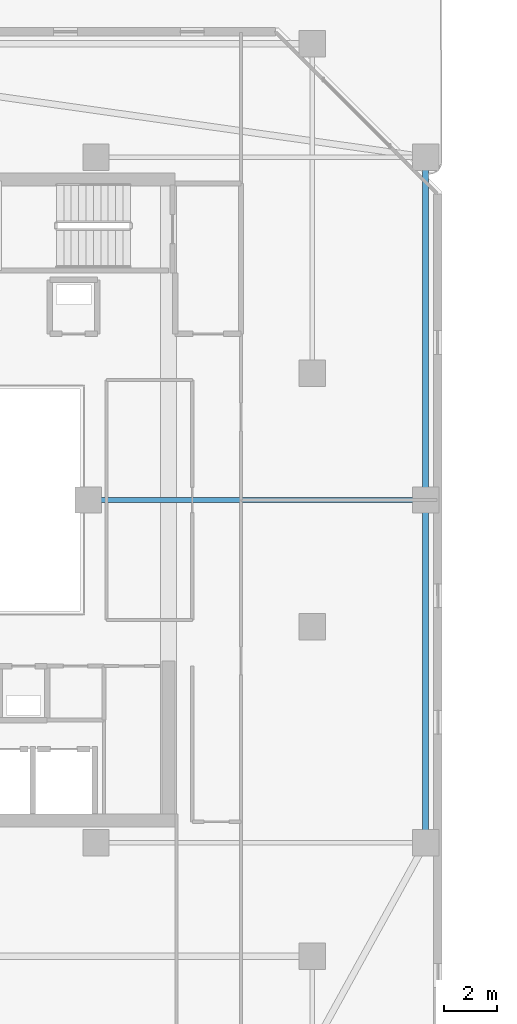
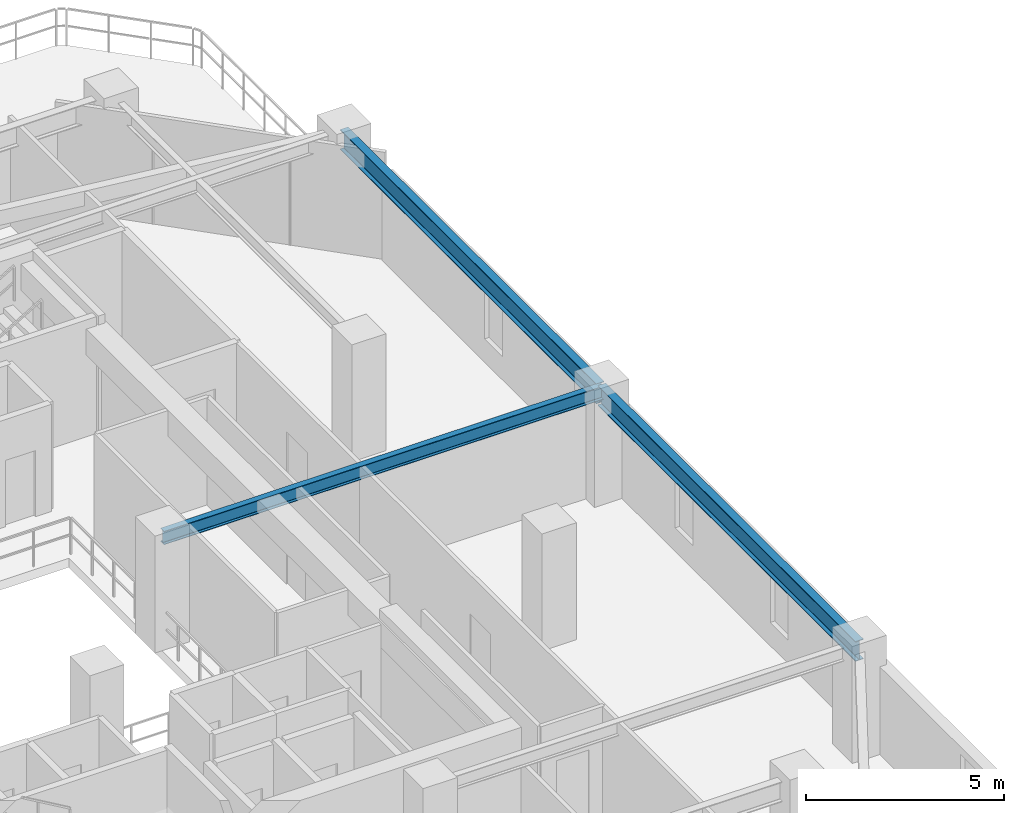
# One storey, part 6 of 29: 3 beams.
"""IFC4 building model written with IfcOpenShell, lengths in metres."""

from ifc_helpers import new_model, si_unit, direction, frame, origin, origin_2d, place, context, subcontext, project, spatial, i_section, extrude, material, material_profile, profile_set, type_object, element, save


model = new_model("IFC4")

# Units and contexts
model_context = context("Model", 3, precision=1e-05, world=origin(), true_north=direction((0.0, 1.0)))
body_context = subcontext(model_context, "Body", "Model", "MODEL_VIEW")
ifc_project = project(units=[si_unit("LENGTHUNIT", "METRE"), si_unit("AREAUNIT", "SQUARE_METRE"), si_unit("VOLUMEUNIT", "CUBIC_METRE"), si_unit("PLANEANGLEUNIT", "RADIAN"), si_unit("MASSUNIT", "GRAM", prefix="KILO")], contexts=[model_context])

# Site, building, storey
site_placement = place(None, origin())
site = spatial("IfcSite", under=ifc_project, at=site_placement, CompositionType="ELEMENT")
building_placement = place(site_placement, origin())
building = spatial("IfcBuilding", under=site, at=building_placement, Name="Thornwick Lancets Civic Towers", CompositionType="ELEMENT")
storey_placement = place(building_placement, frame((0.0, 0.0, 229.5)))
storey = spatial("IfcBuildingStorey", under=building, at=storey_placement, Name="L61", CompositionType="ELEMENT", Elevation=229.5)

# Beams
ifc_material = material(Name="Steel S355JR", Category="steel")
ifc_material_profile_1 = material_profile(ifc_material, i_section(OverallWidth=0.230224609375, OverallDepth=0.6171875, WebThickness=0.01318359375, FlangeThickness=0.022216796875, FilletRadius=0.0126953125, at=origin_2d()), Name="UKB 610x229x140")
ifc_profile_set_1 = profile_set([ifc_material_profile_1], Name="Steel S355JR")
beam_type_1 = type_object("IfcBeamType", Name="BM_GIRD_610_140", PredefinedType="BEAM", material=ifc_profile_set_1)
beam_1_placement = place(storey_placement, frame((42.800048828125, 14.0, 3.011474609375), z_axis=(0.0, 1.0, 0.0), x_axis=(-1.0, 0.0, 0.0)))
element("IfcBeam", 1, at=beam_1_placement, inside=storey, type_object=beam_type_1, Name="BM-SPINE-L61-A-3-4", PredefinedType="BEAM", context=body_context, shape_type="SweptSolid", body=[
    extrude(i_section(OverallWidth=0.230224609375, OverallDepth=0.6171875, WebThickness=0.01318359375, FlangeThickness=0.022216796875, FilletRadius=0.0126953125, at=origin_2d()), origin(), (0.0, 0.0, 1.0), 13.0),
])
beam_2_placement = place(storey_placement, frame((42.800048828125, 27.080078125, 3.011474609375), z_axis=(0.0, 1.0, 0.0), x_axis=(-1.0, 0.0, 0.0)))
element("IfcBeam", 2, at=beam_2_placement, inside=storey, type_object=beam_type_1, Name="BM-SPINE-L61-A-4-5", PredefinedType="BEAM", context=body_context, shape_type="SweptSolid", body=[
    extrude(i_section(OverallWidth=0.230224609375, OverallDepth=0.6171875, WebThickness=0.01318359375, FlangeThickness=0.022216796875, FilletRadius=0.0126953125, at=origin_2d()), origin(), (0.0, 0.0, 1.0), 12.919921875),
])
ifc_material_profile_2 = material_profile(ifc_material, i_section(OverallWidth=0.179443359375, OverallDepth=0.412841796875, WebThickness=0.009521484375, FlangeThickness=0.01611328125, FilletRadius=0.01025390625, at=origin_2d()), Name="UKB 406x178x74")
ifc_profile_set_2 = profile_set([ifc_material_profile_2], Name="Steel S355JR")
beam_type_2 = type_object("IfcBeamType", Name="BM_JOIST_406_74", PredefinedType="JOIST", material=ifc_profile_set_2)
beam_3_placement = place(storey_placement, frame((30.0, 27.0, 3.113525390625), z_axis=(1.0, 0.0, 0.0), x_axis=(0.0, 1.0, 0.0)))
element("IfcBeam", 3, at=beam_3_placement, inside=storey, type_object=beam_type_2, Name="BM-RADIN-L61-A05", PredefinedType="JOIST", context=body_context, shape_type="SweptSolid", body=[
    extrude(i_section(OverallWidth=0.179443359375, OverallDepth=0.412841796875, WebThickness=0.009521484375, FlangeThickness=0.01611328125, FilletRadius=0.01025390625, at=origin_2d()), origin(), (0.0, 0.0, 1.0), 12.800048828125),
])

save(model, "model.ifc")
